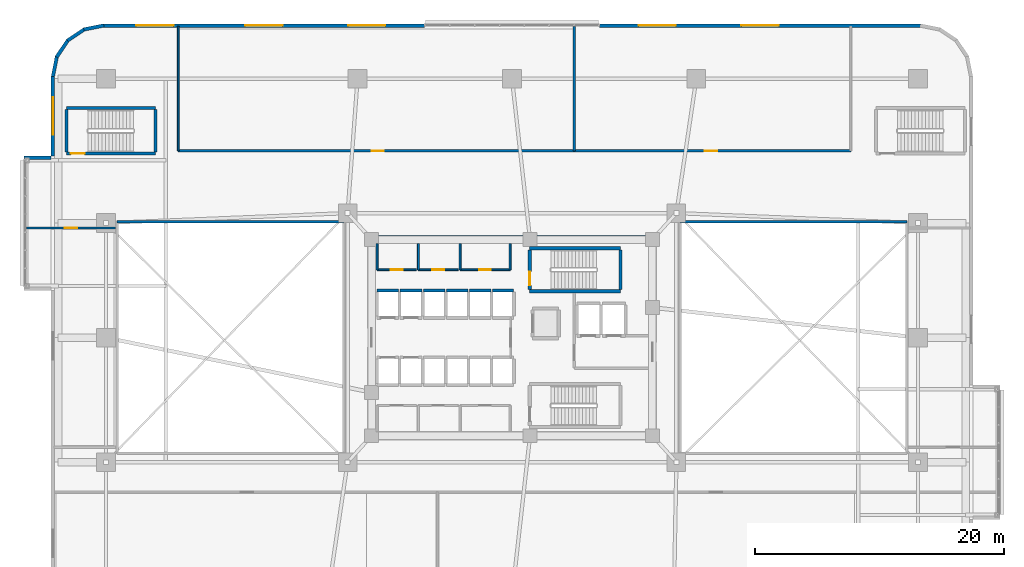
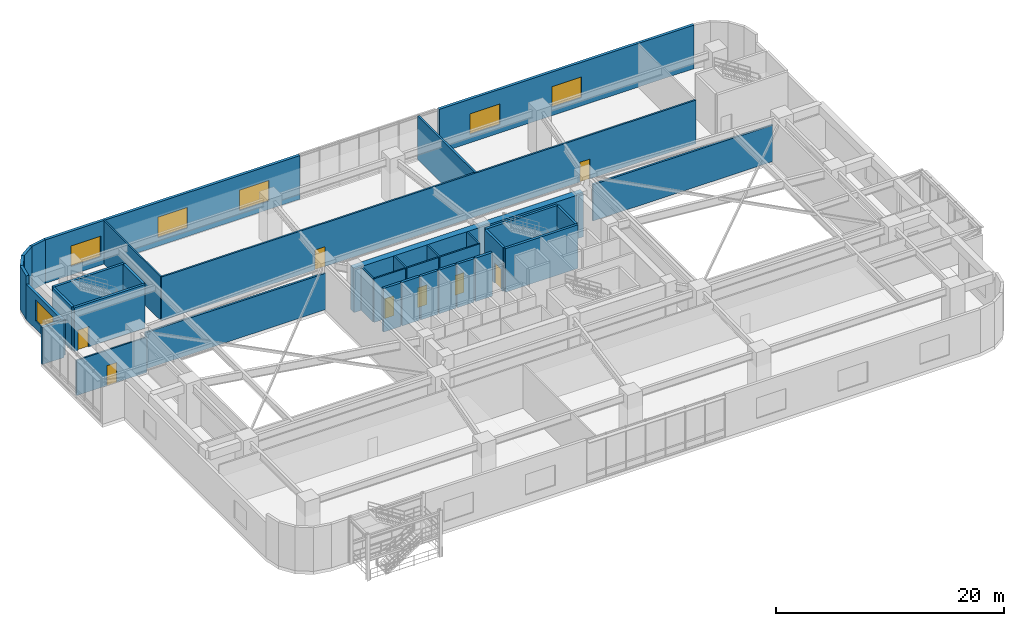
# One storey, part 17 of 24: 36 walls, 8 doors, 6 windows, 14 openings.
"""IFC4 building model written with IfcOpenShell, lengths in metres."""

from ifc_helpers import new_model, si_unit, direction, frame, frame_2d, origin, place, context, subcontext, project, spatial, rectangle, extrude, material, layer, layer_set, type_object, element, fill, save


model = new_model("IFC4")

# Units and contexts
model_context = context("Model", 3, precision=1e-05, world=origin(), true_north=direction((0.0, 1.0)))
body_context = subcontext(model_context, "Body", "Model", "MODEL_VIEW")
ifc_project = project(units=[si_unit("LENGTHUNIT", "METRE"), si_unit("AREAUNIT", "SQUARE_METRE"), si_unit("VOLUMEUNIT", "CUBIC_METRE"), si_unit("PLANEANGLEUNIT", "RADIAN"), si_unit("MASSUNIT", "GRAM", prefix="KILO")], contexts=[model_context])

# Site, building, storey
site_placement = place(None, origin())
site = spatial("IfcSite", under=ifc_project, at=site_placement, CompositionType="ELEMENT")
building_placement = place(site_placement, origin())
building = spatial("IfcBuilding", under=site, at=building_placement, Name="Zulverin Broadcast Headquarters", CompositionType="ELEMENT")
storey_placement = place(building_placement, frame((0.0, 0.0, 5.0)))
storey = spatial("IfcBuildingStorey", under=building, at=storey_placement, Name="L01", CompositionType="ELEMENT", Elevation=5.0)

# Walls
ifc_material_1 = material(Name="Acoustic drywall steel stud", Category="steel")
ifc_layer_1 = layer(ifc_material_1, 0.199951171875, Name="Acoustic drywall steel stud", Category="steel")
ifc_layer_set_1 = layer_set([ifc_layer_1], Name="Acoustic drywall steel stud")
wall_type_1 = type_object("IfcWallType", Name="WL-ACOU-200", PredefinedType="PARTITIONING", material=ifc_layer_set_1)
for number, where, z_axis, x_axis, name in (
    (1, (5.300048828125, 34.5, 0.0), (0.0, 0.0, 1.0), (1.0, 0.0, 0.0), "L01 WEST Studio Void N Wall"),
    (2, (50.5, 34.5, 0.0), (0.0, 0.0, 1.0), (1.0, 0.0, 0.0), "L01 EAST Studio Void N Wall"),
):
    element("IfcWall", number, at=place(storey_placement, frame(where, z_axis=z_axis, x_axis=x_axis)), inside=storey, type_object=wall_type_1, Name=name, PredefinedType="PARTITIONING", context=body_context, shape_type="SweptSolid", body=[
        extrude(rectangle(XDim=18.199951171875, YDim=0.199951171875, at=frame_2d((9.10009765625, 0.0))), origin(), (0.0, 0.0, 1.0), 3.89013671875),
    ])
wall_1_placement = place(storey_placement, frame((42.0, 40.199951171875, 0.0), z_axis=(0.0, 0.0, 1.0), x_axis=(0.0, 1.0, 0.0)))
element("IfcWall", 3, at=wall_1_placement, inside=storey, type_object=wall_type_1, Name="L01 Room Partition Wall RP-03", PredefinedType="PARTITIONING", context=body_context, shape_type="SweptSolid", body=[
    extrude(rectangle(XDim=9.9951171875, YDim=0.199951171875, at=frame_2d((4.99755859375, 0.0))), origin(), (0.0, 0.0, 1.0), 4.659912109375),
])
ifc_material_2 = material(Name="Concrete C60/75", Category="concrete")
ifc_layer_2 = layer(ifc_material_2, 0.64990234375, Name="Concrete C60/75", Category="concrete")
ifc_layer_set_2 = layer_set([ifc_layer_2], Name="Concrete C60/75")
wall_type_2 = type_object("IfcWallType", Name="WL-CORE-650", PredefinedType="SHEAR", material=ifc_layer_set_2)
wall_2_placement = place(storey_placement, frame((25.39990234375, 33.074951171875, 0.0), z_axis=(0.0, 0.0, 1.0), x_axis=(1.0, 0.0, 0.0)))
element("IfcWall", 4, at=wall_2_placement, inside=storey, type_object=wall_type_2, Name="L01 Core North Shear Wall", PredefinedType="SHEAR", context=body_context, shape_type="SweptSolid", body=[
    extrude(rectangle(XDim=23.2001953125, YDim=0.64990234375, at=frame_2d((11.60009765625, 0.0))), origin(), (0.0, 0.0, 1.0), 4.659912109375),
])

# Wall, openings, windows
ifc_material_3 = material(Name="Insulated pale-metal clad concrete spandrel C40/50", Category="concrete")
ifc_layer_3 = layer(ifc_material_3, 0.280029296875, Name="Insulated pale-metal clad concrete spandrel C40/50", Category="concrete")
ifc_layer_set_3 = layer_set([ifc_layer_3], Name="Insulated pale-metal clad concrete spandrel C40/50")
wall_type_3 = type_object("IfcWallType", Name="WL-EXT-280", PredefinedType="STANDARD", material=ifc_layer_set_3)
wall_3_placement = place(storey_placement, frame((69.800048828125, 50.260009765625, 0.0), z_axis=(0.0, 0.0, 1.0), x_axis=(-1.0, 0.0, 0.0)))
wall_3 = element("IfcWall", 5, at=wall_3_placement, inside=storey, type_object=wall_type_3, Name="L01 Podium Flank Wall 2-1", PredefinedType="STANDARD", context=body_context, shape_type="SweptSolid", body=[
    extrude(rectangle(XDim=25.761962890625, YDim=0.280029296875, at=frame_2d((12.880859375, 0.0))), origin(), (0.0, 0.0, 1.0), 4.659912109375),
])
opening_1_placement = place(wall_3_placement, frame((11.381103515625, 0.0, 0.89990234375)))
opening_1 = element("IfcOpeningElement", 6, at=opening_1_placement, cuts=wall_3, Name="Opening W-L01-F211", PredefinedType="OPENING", context=body_context, shape_type="SweptSolid", body=[
    extrude(rectangle(XDim=3.0, YDim=2.199951171875, at=frame_2d((1.5, 1.10009765625))), frame((0.0, 0.14990234375, 0.0), z_axis=(0.0, -1.0, 0.0), x_axis=(1.0, 0.0, 0.0)), (0.0, 0.0, 1.0), 0.300048828125),
])
opening_2_placement = place(wall_3_placement, frame((19.635009765625, 0.0, 0.89990234375)))
opening_2 = element("IfcOpeningElement", 7, at=opening_2_placement, cuts=wall_3, Name="Opening W-L01-F212", PredefinedType="OPENING", context=body_context, shape_type="SweptSolid", body=[
    extrude(rectangle(XDim=3.0, YDim=2.199951171875, at=frame_2d((1.5, 1.10009765625))), frame((0.0, 0.14990234375, 0.0), z_axis=(0.0, -1.0, 0.0), x_axis=(1.0, 0.0, 0.0)), (0.0, 0.0, 1.0), 0.300048828125),
])
ifc_material_4 = material(Name="Pale anodized aluminium frame with solar-control low-E double glazing", Category="aluminium")
window_type = type_object("IfcWindowType", Name="WIN-POD-3000", PartitioningType="SINGLE_PANEL", PredefinedType="WINDOW", material=ifc_material_4)
window_1_placement = place(opening_1_placement, origin())
window_1 = element("IfcWindow", 8, at=window_1_placement, inside=storey, type_object=window_type, Name="L01 Podium Flank Window 2-1 1", OverallHeight=2.199951171875, OverallWidth=3.0, PartitioningType="SINGLE_PANEL", PredefinedType="WINDOW", context=body_context, shape_type="SweptSolid", body=[
    extrude(rectangle(XDim=3.0, YDim=2.199951171875, at=frame_2d((1.5, 1.10009765625))), frame((0.0, 0.030029296875, 0.0), z_axis=(0.0, -1.0, 0.0), x_axis=(1.0, 0.0, 0.0)), (0.0, 0.0, 1.0), 0.06005859375),
])
fill(opening_1, window_1)
window_2_placement = place(opening_2_placement, origin())
window_2 = element("IfcWindow", 9, at=window_2_placement, inside=storey, type_object=window_type, Name="L01 Podium Flank Window 2-1 2", OverallHeight=2.199951171875, OverallWidth=3.0, PartitioningType="SINGLE_PANEL", PredefinedType="WINDOW", context=body_context, shape_type="SweptSolid", body=[
    extrude(rectangle(XDim=3.0, YDim=2.199951171875, at=frame_2d((1.5, 1.10009765625))), frame((0.0, 0.030029296875, 0.0), z_axis=(0.0, -1.0, 0.0), x_axis=(1.0, 0.0, 0.0)), (0.0, 0.0, 1.0), 0.06005859375),
])
fill(opening_2, window_2)

wall_4_placement = place(storey_placement, frame((29.9619140625, 50.260009765625, 0.0), z_axis=(0.0, 0.0, 1.0), x_axis=(-1.0, 0.0, 0.0)))
wall_4 = element("IfcWall", 10, at=wall_4_placement, inside=storey, type_object=wall_type_3, Name="L01 Podium Flank Wall 2-2", PredefinedType="STANDARD", context=body_context, shape_type="SweptSolid", body=[
    extrude(rectangle(XDim=25.761962890625, YDim=0.280029296875, at=frame_2d((12.880859375, 0.0))), origin(), (0.0, 0.0, 1.0), 4.659912109375),
])
opening_3_placement = place(wall_4_placement, frame((3.126953125, 0.0, 0.89990234375)))
opening_3 = element("IfcOpeningElement", 11, at=opening_3_placement, cuts=wall_4, Name="Opening W-L01-F221", PredefinedType="OPENING", context=body_context, shape_type="SweptSolid", body=[
    extrude(rectangle(XDim=3.0, YDim=2.199951171875, at=frame_2d((1.5, 1.10009765625))), frame((0.0, 0.14990234375, 0.0), z_axis=(0.0, -1.0, 0.0), x_axis=(1.0, 0.0, 0.0)), (0.0, 0.0, 1.0), 0.300048828125),
])
opening_4_placement = place(wall_4_placement, frame((11.381103515625, 0.0, 0.89990234375)))
opening_4 = element("IfcOpeningElement", 12, at=opening_4_placement, cuts=wall_4, Name="Opening W-L01-F222", PredefinedType="OPENING", context=body_context, shape_type="SweptSolid", body=[
    extrude(rectangle(XDim=3.0, YDim=2.199951171875, at=frame_2d((1.5, 1.10009765625))), frame((0.0, 0.14990234375, 0.0), z_axis=(0.0, -1.0, 0.0), x_axis=(1.0, 0.0, 0.0)), (0.0, 0.0, 1.0), 0.300048828125),
])
opening_5_placement = place(wall_4_placement, frame((20.135009765625, 0.0, 0.89990234375)))
opening_5 = element("IfcOpeningElement", 13, at=opening_5_placement, cuts=wall_4, Name="Opening W-L01-F223", PredefinedType="OPENING", context=body_context, shape_type="SweptSolid", body=[
    extrude(rectangle(XDim=3.0, YDim=2.199951171875, at=frame_2d((1.5, 1.10009765625))), frame((0.0, 0.14990234375, 0.0), z_axis=(0.0, -1.0, 0.0), x_axis=(1.0, 0.0, 0.0)), (0.0, 0.0, 1.0), 0.300048828125),
])
window_3_placement = place(opening_3_placement, origin())
window_3 = element("IfcWindow", 14, at=window_3_placement, inside=storey, type_object=window_type, Name="L01 Podium Flank Window 2-2 1", OverallHeight=2.199951171875, OverallWidth=3.0, PartitioningType="SINGLE_PANEL", PredefinedType="WINDOW", context=body_context, shape_type="SweptSolid", body=[
    extrude(rectangle(XDim=3.0, YDim=2.199951171875, at=frame_2d((1.5, 1.10009765625))), frame((0.0, 0.030029296875, 0.0), z_axis=(0.0, -1.0, 0.0), x_axis=(1.0, 0.0, 0.0)), (0.0, 0.0, 1.0), 0.06005859375),
])
fill(opening_3, window_3)
window_4_placement = place(opening_4_placement, origin())
window_4 = element("IfcWindow", 15, at=window_4_placement, inside=storey, type_object=window_type, Name="L01 Podium Flank Window 2-2 2", OverallHeight=2.199951171875, OverallWidth=3.0, PartitioningType="SINGLE_PANEL", PredefinedType="WINDOW", context=body_context, shape_type="SweptSolid", body=[
    extrude(rectangle(XDim=3.0, YDim=2.199951171875, at=frame_2d((1.5, 1.10009765625))), frame((0.0, 0.030029296875, 0.0), z_axis=(0.0, -1.0, 0.0), x_axis=(1.0, 0.0, 0.0)), (0.0, 0.0, 1.0), 0.06005859375),
])
fill(opening_4, window_4)
window_5_placement = place(opening_5_placement, origin())
window_5 = element("IfcWindow", 16, at=window_5_placement, inside=storey, type_object=window_type, Name="L01 Podium Flank Window 2-2 3", OverallHeight=2.199951171875, OverallWidth=3.0, PartitioningType="SINGLE_PANEL", PredefinedType="WINDOW", context=body_context, shape_type="SweptSolid", body=[
    extrude(rectangle(XDim=3.0, YDim=2.199951171875, at=frame_2d((1.5, 1.10009765625))), frame((0.0, 0.030029296875, 0.0), z_axis=(0.0, -1.0, 0.0), x_axis=(1.0, 0.0, 0.0)), (0.0, 0.0, 1.0), 0.06005859375),
])
fill(opening_5, window_5)

# Wall, opening, window
wall_5_placement = place(storey_placement, frame((0.139892578125, 46.199951171875, 0.0), z_axis=(0.0, 0.0, 1.0), x_axis=(0.0, -1.0, 0.0)))
wall_5 = element("IfcWall", 17, at=wall_5_placement, inside=storey, type_object=wall_type_3, Name="L01 Podium Spandrel Wall 3-1", PredefinedType="STANDARD", context=body_context, shape_type="SweptSolid", body=[
    extrude(rectangle(XDim=6.39990234375, YDim=0.280029296875, at=frame_2d((3.199951171875, 0.0))), origin(), (0.0, 0.0, 1.0), 3.760009765625),
])
opening_6_placement = place(wall_5_placement, frame((1.699951171875, 0.0, 0.89990234375)))
opening_6 = element("IfcOpeningElement", 18, at=opening_6_placement, cuts=wall_5, Name="Opening W-L01-E3S11", PredefinedType="OPENING", context=body_context, shape_type="SweptSolid", body=[
    extrude(rectangle(XDim=3.0, YDim=2.199951171875, at=frame_2d((1.5, 1.10009765625))), frame((0.0, 0.14990234375, 0.0), z_axis=(0.0, -1.0, 0.0), x_axis=(1.0, 0.0, 0.0)), (0.0, 0.0, 1.0), 0.300048828125),
])
window_6_placement = place(opening_6_placement, origin())
window_6 = element("IfcWindow", 19, at=window_6_placement, inside=storey, type_object=window_type, Name="L01 Podium Ribbon Window 3-1 1", OverallHeight=2.199951171875, OverallWidth=3.0, PartitioningType="SINGLE_PANEL", PredefinedType="WINDOW", context=body_context, shape_type="SweptSolid", body=[
    extrude(rectangle(XDim=3.0, YDim=2.199951171875, at=frame_2d((1.5, 1.10009765625))), frame((0.0, 0.030029296875, 0.0), z_axis=(0.0, -1.0, 0.0), x_axis=(1.0, 0.0, 0.0)), (0.0, 0.0, 1.0), 0.06005859375),
])
fill(opening_6, window_6)

# Walls
wall_6_placement = place(storey_placement, frame((4.227294921875, 50.2626953125, 0.0), z_axis=(0.0, 0.0, 1.0), x_axis=(-0.980797825116, -0.195027244885, 0.0)))
element("IfcWall", 20, at=wall_6_placement, inside=storey, type_object=wall_type_3, Name="L01 Wind-Shaped Corner Spandrel Wall 2-1", PredefinedType="STANDARD", context=body_context, shape_type="SweptSolid", body=[
    extrude(rectangle(XDim=1.638671875, YDim=0.280029296875, at=frame_2d((0.8193359375, 0.0))), origin(), (0.0, 0.0, 1.0), 4.659912109375),
])
wall_7_placement = place(storey_placement, frame((2.67041015625, 49.9638671875, 0.0), z_axis=(0.0, 0.0, 1.0), x_axis=(-0.831430845238, -0.555628247651, 0.0)))
element("IfcWall", 21, at=wall_7_placement, inside=storey, type_object=wall_type_3, Name="L01 Wind-Shaped Corner Spandrel Wall 2-2", PredefinedType="STANDARD", context=body_context, shape_type="SweptSolid", body=[
    extrude(rectangle(XDim=1.638427734375, YDim=0.280029296875, at=frame_2d((0.8193359375, 0.0))), origin(), (0.0, 0.0, 1.0), 4.659912109375),
])
for number, where, z_axis, x_axis, name in (
    (22, (1.3466796875, 49.092041015625, 0.0), (0.0, 0.0, 1.0), (-0.555662407875, -0.831408015643, 0.0), "L01 Wind-Shaped Corner Spandrel Wall 2-3"),
    (23, (0.45703125, 47.780029296875, 0.0), (0.0, 0.0, 1.0), (-0.195142046967, -0.980774990253, 0.0), "L01 Wind-Shaped Corner Spandrel Wall 2-4"),
):
    element("IfcWall", number, at=place(storey_placement, frame(where, z_axis=z_axis, x_axis=x_axis)), inside=storey, type_object=wall_type_3, Name=name, PredefinedType="STANDARD", context=body_context, shape_type="SweptSolid", body=[
        extrude(rectangle(XDim=1.638916015625, YDim=0.280029296875, at=frame_2d((0.8193359375, 0.0))), origin(), (0.0, 0.0, 1.0), 4.659912109375),
    ])
wall_8_placement = place(storey_placement, frame((-2.199951171875, 39.659912109375, 0.0), z_axis=(0.0, 0.0, 1.0), x_axis=(1.0, 0.0, 0.0)))
element("IfcWall", 24, at=wall_8_placement, inside=storey, type_object=wall_type_3, Name="L01 Shifted Studio Box Cheek Wall SBOX_POD_LOWER_W1-N", PredefinedType="STANDARD", context=body_context, shape_type="SweptSolid", body=[
    extrude(rectangle(XDim=2.199951171875, YDim=0.280029296875, at=frame_2d((1.10009765625, 0.0))), origin(), (0.0, 0.0, 1.0), 3.967041015625),
])

# Wall, opening, door
ifc_material_5 = material(Name="Fire-rated gypsum stud partition", Category="gypsum")
ifc_layer_4 = layer(ifc_material_5, 0.14990234375, Name="Fire-rated gypsum stud partition", Category="gypsum")
ifc_layer_set_4 = layer_set([ifc_layer_4], Name="Fire-rated gypsum stud partition")
wall_type_4 = type_object("IfcWallType", Name="WL-PART-150", PredefinedType="PARTITIONING", material=ifc_layer_set_4)
wall_9_placement = place(storey_placement, frame((26.169921875, 30.64990234375, 0.0), z_axis=(0.0, 0.0, 1.0), x_axis=(1.0, 0.0, 0.0)))
wall_9 = element("IfcWall", 25, at=wall_9_placement, inside=storey, type_object=wall_type_4, Name="L01 Core Male WC Front Wall", PredefinedType="PARTITIONING", context=body_context, shape_type="SweptSolid", body=[
    extrude(rectangle(XDim=3.150146484375, YDim=0.14990234375, at=frame_2d((1.5751953125, 0.0))), origin(), (0.0, 0.0, 1.0), 4.659912109375),
])
opening_7_placement = place(wall_9_placement, frame((1.10009765625, 0.0, 0.0)))
opening_7 = element("IfcOpeningElement", 26, at=opening_7_placement, cuts=wall_9, Name="Opening D-L01-NC1", PredefinedType="OPENING", context=body_context, shape_type="SweptSolid", body=[
    extrude(rectangle(XDim=0.949951171875, YDim=2.10009765625, at=frame_2d((0.47509765625, 1.050048828125))), frame((0.0, 0.0849609375, 0.0), z_axis=(0.0, -1.0, 0.0), x_axis=(1.0, 0.0, 0.0)), (0.0, 0.0, 1.0), 0.169921875),
])
ifc_material_6 = material(Name="Fire-rated moisture-resistant laminate leaf", Category="wood")
door_type_1 = type_object("IfcDoorType", Name="DR-WC-950", OperationType="SINGLE_SWING_LEFT", PredefinedType="DOOR", material=ifc_material_6)
door_1_placement = place(opening_7_placement, origin())
door_1 = element("IfcDoor", 27, at=door_1_placement, inside=storey, type_object=door_type_1, Name="L01 Male WC Door", OperationType="SINGLE_SWING_LEFT", OverallHeight=2.10009765625, OverallWidth=0.949951171875, PredefinedType="DOOR", context=body_context, shape_type="SweptSolid", body=[
    extrude(rectangle(XDim=0.949951171875, YDim=2.10009765625, at=frame_2d((0.47509765625, 1.050048828125))), frame((0.0, 0.02490234375, 0.0), z_axis=(0.0, -1.0, 0.0), x_axis=(1.0, 0.0, 0.0)), (0.0, 0.0, 1.0), 0.050048828125),
])
fill(opening_7, door_1)

# Wall
wall_10_placement = place(storey_placement, frame((26.169921875, 30.64990234375, 0.0), z_axis=(0.0, 0.0, 1.0), x_axis=(0.0, 1.0, 0.0)))
element("IfcWall", 28, at=wall_10_placement, inside=storey, type_object=wall_type_4, Name="L01 Core Male WC West Wall", PredefinedType="PARTITIONING", context=body_context, shape_type="SweptSolid", body=[
    extrude(rectangle(XDim=2.10009765625, YDim=0.14990234375, at=frame_2d((1.050048828125, 0.0))), origin(), (0.0, 0.0, 1.0), 4.659912109375),
])

# Wall, opening, door
wall_11_placement = place(storey_placement, frame((29.47998046875, 30.64990234375, 0.0), z_axis=(0.0, 0.0, 1.0), x_axis=(1.0, 0.0, 0.0)))
wall_11 = element("IfcWall", 29, at=wall_11_placement, inside=storey, type_object=wall_type_4, Name="L01 Core Accessible WC Front Wall", PredefinedType="PARTITIONING", context=body_context, shape_type="SweptSolid", body=[
    extrude(rectangle(XDim=3.18994140625, YDim=0.14990234375, at=frame_2d((1.594970703125, 0.0))), origin(), (0.0, 0.0, 1.0), 4.659912109375),
])
opening_8_placement = place(wall_11_placement, frame((1.1201171875, 0.0, 0.0)))
opening_8 = element("IfcOpeningElement", 30, at=opening_8_placement, cuts=wall_11, Name="Opening D-L01-NC2", PredefinedType="OPENING", context=body_context, shape_type="SweptSolid", body=[
    extrude(rectangle(XDim=0.949951171875, YDim=2.10009765625, at=frame_2d((0.47509765625, 1.050048828125))), frame((0.0, 0.0849609375, 0.0), z_axis=(0.0, -1.0, 0.0), x_axis=(1.0, 0.0, 0.0)), (0.0, 0.0, 1.0), 0.169921875),
])
door_2_placement = place(opening_8_placement, origin())
door_2 = element("IfcDoor", 31, at=door_2_placement, inside=storey, type_object=door_type_1, Name="L01 Accessible WC Door", OperationType="SINGLE_SWING_RIGHT", OverallHeight=2.10009765625, OverallWidth=0.949951171875, PredefinedType="DOOR", context=body_context, shape_type="SweptSolid", body=[
    extrude(rectangle(XDim=0.949951171875, YDim=2.10009765625, at=frame_2d((0.47509765625, 1.050048828125))), frame((0.0, 0.02490234375, 0.0), z_axis=(0.0, -1.0, 0.0), x_axis=(1.0, 0.0, 0.0)), (0.0, 0.0, 1.0), 0.050048828125),
])
fill(opening_8, door_2)

# Wall
wall_12_placement = place(storey_placement, frame((29.47998046875, 30.64990234375, 0.0), z_axis=(0.0, 0.0, 1.0), x_axis=(0.0, 1.0, 0.0)))
element("IfcWall", 32, at=wall_12_placement, inside=storey, type_object=wall_type_4, Name="L01 Core Accessible WC West Wall", PredefinedType="PARTITIONING", context=body_context, shape_type="SweptSolid", body=[
    extrude(rectangle(XDim=2.10009765625, YDim=0.14990234375, at=frame_2d((1.050048828125, 0.0))), origin(), (0.0, 0.0, 1.0), 4.659912109375),
])

# Wall, opening, door
wall_13_placement = place(storey_placement, frame((32.830078125, 30.64990234375, 0.0), z_axis=(0.0, 0.0, 1.0), x_axis=(1.0, 0.0, 0.0)))
wall_13 = element("IfcWall", 33, at=wall_13_placement, inside=storey, type_object=wall_type_4, Name="L01 Core Electrical Distribution Riser Front Wall", PredefinedType="PARTITIONING", context=body_context, shape_type="SweptSolid", body=[
    extrude(rectangle(XDim=4.02001953125, YDim=0.14990234375, at=frame_2d((2.010009765625, 0.0))), origin(), (0.0, 0.0, 1.0), 4.659912109375),
])
opening_9_placement = place(wall_13_placement, frame((1.56005859375, 0.0, 0.0)))
opening_9 = element("IfcOpeningElement", 34, at=opening_9_placement, cuts=wall_13, Name="Opening D-L01-NC3", PredefinedType="OPENING", context=body_context, shape_type="SweptSolid", body=[
    extrude(rectangle(XDim=0.89990234375, YDim=2.10009765625, at=frame_2d((0.449951171875, 1.050048828125))), frame((0.0, 0.0849609375, 0.0), z_axis=(0.0, -1.0, 0.0), x_axis=(1.0, 0.0, 0.0)), (0.0, 0.0, 1.0), 0.169921875),
])
ifc_material_7 = material(Name="Powder-coated steel access leaf", Category="steel")
door_type_2 = type_object("IfcDoorType", Name="DR-RISER-900", OperationType="SINGLE_SWING_LEFT", PredefinedType="DOOR", material=ifc_material_7)
door_3_placement = place(opening_9_placement, origin())
door_3 = element("IfcDoor", 35, at=door_3_placement, inside=storey, type_object=door_type_2, Name="L01 Electrical Distribution Riser Door", OperationType="SINGLE_SWING_LEFT", OverallHeight=2.10009765625, OverallWidth=0.89990234375, PredefinedType="DOOR", context=body_context, shape_type="SweptSolid", body=[
    extrude(rectangle(XDim=0.89990234375, YDim=2.10009765625, at=frame_2d((0.449951171875, 1.050048828125))), frame((0.0, 0.02490234375, 0.0), z_axis=(0.0, -1.0, 0.0), x_axis=(1.0, 0.0, 0.0)), (0.0, 0.0, 1.0), 0.050048828125),
])
fill(opening_9, door_3)

# Walls
for number, where, z_axis, x_axis, name in (
    (36, (32.830078125, 30.64990234375, 0.0), (0.0, 0.0, 1.0), (0.0, 1.0, 0.0), "L01 Core Electrical Distribution Riser West Wall"),
    (37, (36.85009765625, 30.64990234375, 0.0), (0.0, 0.0, 1.0), (0.0, 1.0, 0.0), "L01 Core Electrical Distribution Riser East Wall"),
):
    element("IfcWall", number, at=place(storey_placement, frame(where, z_axis=z_axis, x_axis=x_axis)), inside=storey, type_object=wall_type_4, Name=name, PredefinedType="PARTITIONING", context=body_context, shape_type="SweptSolid", body=[
        extrude(rectangle(XDim=2.10009765625, YDim=0.14990234375, at=frame_2d((1.050048828125, 0.0))), origin(), (0.0, 0.0, 1.0), 4.659912109375),
    ])
wall_14_placement = place(storey_placement, frame((10.199951171875, 40.199951171875, 0.0), z_axis=(0.0, 0.0, 1.0), x_axis=(0.0, 1.0, 0.0)))
element("IfcWall", 38, at=wall_14_placement, inside=storey, type_object=wall_type_4, Name="L01 Gallery Partition Wall CG-05", PredefinedType="PARTITIONING", context=body_context, shape_type="SweptSolid", body=[
    extrude(rectangle(XDim=9.9951171875, YDim=0.14990234375, at=frame_2d((4.99755859375, 0.0))), origin(), (0.0, 0.0, 1.0), 4.659912109375),
])

# Wall, opening, door
wall_15_placement = place(storey_placement, frame((-1.9951171875, 34.0, 0.0), z_axis=(0.0, 0.0, 1.0), x_axis=(1.0, 0.0, 0.0)))
wall_15 = element("IfcWall", 39, at=wall_15_placement, inside=storey, type_object=wall_type_4, Name="L01 Gallery Partition Wall CG-10", PredefinedType="PARTITIONING", context=body_context, shape_type="SweptSolid", body=[
    extrude(rectangle(XDim=7.14501953125, YDim=0.14990234375, at=frame_2d((3.572509765625, 0.0))), origin(), (0.0, 0.0, 1.0), 3.760009765625),
])
opening_10_placement = place(wall_15_placement, frame((3.072509765625, 0.0, 0.0)))
opening_10 = element("IfcOpeningElement", 40, at=opening_10_placement, cuts=wall_15, Name="Opening D-L01-GALW", PredefinedType="OPENING", context=body_context, shape_type="SweptSolid", body=[
    extrude(rectangle(XDim=1.0, YDim=2.1201171875, at=frame_2d((0.5, 1.06005859375))), frame((0.0, 0.0849609375, 0.0), z_axis=(0.0, -1.0, 0.0), x_axis=(1.0, 0.0, 0.0)), (0.0, 0.0, 1.0), 0.169921875),
])
ifc_material_8 = material(Name="Hardwood veneer acoustic leaf", Category="wood")
door_type_3 = type_object("IfcDoorType", Name="DR-OFF-1000", OperationType="SINGLE_SWING_LEFT", PredefinedType="DOOR", material=ifc_material_8)
door_4_placement = place(opening_10_placement, origin())
door_4 = element("IfcDoor", 41, at=door_4_placement, inside=storey, type_object=door_type_3, Name="L01 West Studio Control Gallery Door", OperationType="SINGLE_SWING_RIGHT", OverallHeight=2.1201171875, OverallWidth=1.0, PredefinedType="DOOR", context=body_context, shape_type="SweptSolid", body=[
    extrude(rectangle(XDim=1.0, YDim=2.1201171875, at=frame_2d((0.5, 1.06005859375))), frame((0.0, 0.02490234375, 0.0), z_axis=(0.0, -1.0, 0.0), x_axis=(1.0, 0.0, 0.0)), (0.0, 0.0, 1.0), 0.050048828125),
])
fill(opening_10, door_4)

# Wall, openings, doors
ifc_material_9 = material(Name="Fire-rated acoustic stud wall", Category="gypsum")
ifc_layer_5 = layer(ifc_material_9, 0.175048828125, Name="Fire-rated acoustic stud wall", Category="gypsum")
ifc_layer_set_5 = layer_set([ifc_layer_5], Name="Fire-rated acoustic stud wall")
wall_type_5 = type_object("IfcWallType", Name="WL-PART-175", PredefinedType="PARTITIONING", material=ifc_layer_set_5)
wall_16_placement = place(storey_placement, frame((10.199951171875, 40.199951171875, 0.0), z_axis=(0.0, 0.0, 1.0), x_axis=(1.0, 0.0, 0.0)))
wall_16 = element("IfcWall", 42, at=wall_16_placement, inside=storey, type_object=wall_type_5, Name="L01 Gallery Partition Wall CG-12", PredefinedType="PARTITIONING", context=body_context, shape_type="SweptSolid", body=[
    extrude(rectangle(XDim=54.0, YDim=0.175048828125, at=frame_2d((27.0, 0.0))), origin(), (0.0, 0.0, 1.0), 4.659912109375),
])
opening_11_placement = place(wall_16_placement, frame((15.52001953125, 0.0, 0.0)))
opening_11 = element("IfcOpeningElement", 43, at=opening_11_placement, cuts=wall_16, Name="Opening D-L01-NORTH1", PredefinedType="OPENING", context=body_context, shape_type="SweptSolid", body=[
    extrude(rectangle(XDim=1.0, YDim=2.1201171875, at=frame_2d((0.5, 1.06005859375))), frame((0.0, 0.097412109375, 0.0), z_axis=(0.0, -1.0, 0.0), x_axis=(1.0, 0.0, 0.0)), (0.0, 0.0, 1.0), 0.195068359375),
])
opening_12_placement = place(wall_16_placement, frame((42.280029296875, 0.0, 0.0)))
opening_12 = element("IfcOpeningElement", 44, at=opening_12_placement, cuts=wall_16, Name="Opening D-L01-NORTH2", PredefinedType="OPENING", context=body_context, shape_type="SweptSolid", body=[
    extrude(rectangle(XDim=1.0, YDim=2.1201171875, at=frame_2d((0.5, 1.06005859375))), frame((0.0, 0.097412109375, 0.0), z_axis=(0.0, -1.0, 0.0), x_axis=(1.0, 0.0, 0.0)), (0.0, 0.0, 1.0), 0.195068359375),
])
door_5_placement = place(opening_11_placement, origin())
door_5 = element("IfcDoor", 45, at=door_5_placement, inside=storey, type_object=door_type_3, Name="L01 Newsroom Editorial Open Workplace Door", OperationType="SINGLE_SWING_RIGHT", OverallHeight=2.1201171875, OverallWidth=1.0, PredefinedType="DOOR", context=body_context, shape_type="SweptSolid", body=[
    extrude(rectangle(XDim=1.0, YDim=2.1201171875, at=frame_2d((0.5, 1.06005859375))), frame((0.0, 0.02490234375, 0.0), z_axis=(0.0, -1.0, 0.0), x_axis=(1.0, 0.0, 0.0)), (0.0, 0.0, 1.0), 0.050048828125),
])
fill(opening_11, door_5)
door_6_placement = place(opening_12_placement, origin())
door_6 = element("IfcDoor", 46, at=door_6_placement, inside=storey, type_object=door_type_3, Name="L01 Broadcast Graphics & Media Lab Door", OperationType="SINGLE_SWING_LEFT", OverallHeight=2.1201171875, OverallWidth=1.0, PredefinedType="DOOR", context=body_context, shape_type="SweptSolid", body=[
    extrude(rectangle(XDim=1.0, YDim=2.1201171875, at=frame_2d((0.5, 1.06005859375))), frame((0.0, 0.02490234375, 0.0), z_axis=(0.0, -1.0, 0.0), x_axis=(1.0, 0.0, 0.0)), (0.0, 0.0, 1.0), 0.050048828125),
])
fill(opening_12, door_6)

# Walls
ifc_material_10 = material(Name="Concrete C50/60", Category="concrete")
ifc_layer_6 = layer(ifc_material_10, 0.25, Name="Concrete C50/60", Category="concrete")
ifc_layer_set_6 = layer_set([ifc_layer_6], Name="Concrete C50/60")
wall_type_6 = type_object("IfcWallType", Name="WL-SHAFT-250", PredefinedType="SHEAR", material=ifc_layer_set_6)
for number, where, z_axis, x_axis, name in (
    (47, (38.425048828125, 28.925048828125, 0.0), (0.0, 0.0, 1.0), (1.0, 0.0, 0.0), "L01 ST-1 Enclosure Wall S"),
    (48, (38.425048828125, 32.375, 0.0), (0.0, 0.0, 1.0), (1.0, 0.0, 0.0), "L01 ST-1 Enclosure Wall N"),
):
    element("IfcWall", number, at=place(storey_placement, frame(where, z_axis=z_axis, x_axis=x_axis)), inside=storey, type_object=wall_type_6, Name=name, PredefinedType="SHEAR", context=body_context, shape_type="SweptSolid", body=[
        extrude(rectangle(XDim=7.300048828125, YDim=0.25, at=frame_2d((3.64990234375, 0.0))), origin(), (0.0, 0.0, 1.0), 4.659912109375),
    ])

# Wall, opening, door
wall_17_placement = place(storey_placement, frame((38.425048828125, 29.050048828125, 0.0), z_axis=(0.0, 0.0, 1.0), x_axis=(0.0, 1.0, 0.0)))
wall_17 = element("IfcWall", 49, at=wall_17_placement, inside=storey, type_object=wall_type_6, Name="L01 ST-1 Enclosure Wall W", PredefinedType="SHEAR", context=body_context, shape_type="SweptSolid", body=[
    extrude(rectangle(XDim=3.199951171875, YDim=0.25, at=frame_2d((1.60009765625, 0.0))), origin(), (0.0, 0.0, 1.0), 4.659912109375),
])
opening_13_placement = place(wall_17_placement, frame((0.35009765625, 0.0, 0.0)))
opening_13 = element("IfcOpeningElement", 50, at=opening_13_placement, cuts=wall_17, Name="Opening D-L01-ST-1", PredefinedType="OPENING", context=body_context, shape_type="SweptSolid", body=[
    extrude(rectangle(XDim=1.10009765625, YDim=2.14990234375, at=frame_2d((0.550048828125, 1.074951171875))), frame((0.0, 0.135009765625, 0.0), z_axis=(0.0, -1.0, 0.0), x_axis=(1.0, 0.0, 0.0)), (0.0, 0.0, 1.0), 0.27001953125),
])
ifc_material_11 = material(Name="Fire-rated steel leaf and frame", Category="steel")
door_type_4 = type_object("IfcDoorType", Name="DR-STAIR-1100", OperationType="SINGLE_SWING_LEFT", PredefinedType="DOOR", material=ifc_material_11)
door_7_placement = place(opening_13_placement, origin())
door_7 = element("IfcDoor", 51, at=door_7_placement, inside=storey, type_object=door_type_4, Name="L01 Exit Stair ST-1 Fire Door", OperationType="SINGLE_SWING_LEFT", OverallHeight=2.14990234375, OverallWidth=1.10009765625, PredefinedType="DOOR", context=body_context, shape_type="SweptSolid", body=[
    extrude(rectangle(XDim=1.10009765625, YDim=2.14990234375, at=frame_2d((0.550048828125, 1.074951171875))), frame((0.0, 0.02490234375, 0.0), z_axis=(0.0, -1.0, 0.0), x_axis=(1.0, 0.0, 0.0)), (0.0, 0.0, 1.0), 0.050048828125),
])
fill(opening_13, door_7)

# Wall
wall_18_placement = place(storey_placement, frame((45.72509765625, 29.050048828125, 0.0), z_axis=(0.0, 0.0, 1.0), x_axis=(0.0, 1.0, 0.0)))
element("IfcWall", 52, at=wall_18_placement, inside=storey, type_object=wall_type_6, Name="L01 ST-1 Enclosure Wall E", PredefinedType="SHEAR", context=body_context, shape_type="SweptSolid", body=[
    extrude(rectangle(XDim=3.199951171875, YDim=0.25, at=frame_2d((1.60009765625, 0.0))), origin(), (0.0, 0.0, 1.0), 4.659912109375),
])

# Wall, opening, door
wall_19_placement = place(storey_placement, frame((1.22509765625, 39.97509765625, 0.0), z_axis=(0.0, 0.0, 1.0), x_axis=(1.0, 0.0, 0.0)))
wall_19 = element("IfcWall", 53, at=wall_19_placement, inside=storey, type_object=wall_type_6, Name="L01 ST-3 Enclosure Wall S", PredefinedType="SHEAR", context=body_context, shape_type="SweptSolid", body=[
    extrude(rectangle(XDim=7.14990234375, YDim=0.25, at=frame_2d((3.574951171875, 0.0))), origin(), (0.0, 0.0, 1.0), 4.659912109375),
])
opening_14_placement = place(wall_19_placement, frame((0.35009765625, 0.0, 0.0)))
opening_14 = element("IfcOpeningElement", 54, at=opening_14_placement, cuts=wall_19, Name="Opening D-L01-ST-3", PredefinedType="OPENING", context=body_context, shape_type="SweptSolid", body=[
    extrude(rectangle(XDim=1.10009765625, YDim=2.14990234375, at=frame_2d((0.550048828125, 1.074951171875))), frame((0.0, 0.135009765625, 0.0), z_axis=(0.0, -1.0, 0.0), x_axis=(1.0, 0.0, 0.0)), (0.0, 0.0, 1.0), 0.27001953125),
])
door_8_placement = place(opening_14_placement, origin())
door_8 = element("IfcDoor", 55, at=door_8_placement, inside=storey, type_object=door_type_4, Name="L01 Exit Stair ST-3 Fire Door", OperationType="SINGLE_SWING_LEFT", OverallHeight=2.14990234375, OverallWidth=1.10009765625, PredefinedType="DOOR", context=body_context, shape_type="SweptSolid", body=[
    extrude(rectangle(XDim=1.10009765625, YDim=2.14990234375, at=frame_2d((0.550048828125, 1.074951171875))), frame((0.0, 0.02490234375, 0.0), z_axis=(0.0, -1.0, 0.0), x_axis=(1.0, 0.0, 0.0)), (0.0, 0.0, 1.0), 0.050048828125),
])
fill(opening_14, door_8)

# Walls
wall_20_placement = place(storey_placement, frame((1.22509765625, 43.625, 0.0), z_axis=(0.0, 0.0, 1.0), x_axis=(1.0, 0.0, 0.0)))
element("IfcWall", 56, at=wall_20_placement, inside=storey, type_object=wall_type_6, Name="L01 ST-3 Enclosure Wall N", PredefinedType="SHEAR", context=body_context, shape_type="SweptSolid", body=[
    extrude(rectangle(XDim=7.14990234375, YDim=0.25, at=frame_2d((3.574951171875, 0.0))), origin(), (0.0, 0.0, 1.0), 4.659912109375),
])
for number, where, z_axis, x_axis, name in (
    (57, (1.22509765625, 40.10009765625, 0.0), (0.0, 0.0, 1.0), (0.0, 1.0, 0.0), "L01 ST-3 Enclosure Wall W"),
    (58, (8.375, 40.10009765625, 0.0), (0.0, 0.0, 1.0), (0.0, 1.0, 0.0), "L01 ST-3 Enclosure Wall E"),
):
    element("IfcWall", number, at=place(storey_placement, frame(where, z_axis=z_axis, x_axis=x_axis)), inside=storey, type_object=wall_type_6, Name=name, PredefinedType="SHEAR", context=body_context, shape_type="SweptSolid", body=[
        extrude(rectangle(XDim=3.39990234375, YDim=0.25, at=frame_2d((1.699951171875, 0.0))), origin(), (0.0, 0.0, 1.0), 4.659912109375),
    ])
for number, where, z_axis, x_axis, name in (
    (59, (26.14990234375, 29.0, 0.0), (0.0, 0.0, 1.0), (1.0, 0.0, 0.0), "L01 Lift PL-L1 Shaft Wall N"),
    (60, (28.02001953125, 29.0, 0.0), (0.0, 0.0, 1.0), (1.0, 0.0, 0.0), "L01 Lift PL-L2 Shaft Wall N"),
):
    element("IfcWall", number, at=place(storey_placement, frame(where, z_axis=z_axis, x_axis=x_axis)), inside=storey, type_object=wall_type_6, Name=name, PredefinedType="SHEAR", context=body_context, shape_type="SweptSolid", body=[
        extrude(rectangle(XDim=1.75, YDim=0.25, at=frame_2d((0.875, 0.0))), origin(), (0.0, 0.0, 1.0), 4.659912109375),
    ])
wall_21_placement = place(storey_placement, frame((29.89990234375, 29.0, 0.0), z_axis=(0.0, 0.0, 1.0), x_axis=(1.0, 0.0, 0.0)))
element("IfcWall", 61, at=wall_21_placement, inside=storey, type_object=wall_type_6, Name="L01 Lift PL-H1 Shaft Wall N", PredefinedType="SHEAR", context=body_context, shape_type="SweptSolid", body=[
    extrude(rectangle(XDim=1.72021484375, YDim=0.25, at=frame_2d((0.860107421875, 0.0))), origin(), (0.0, 0.0, 1.0), 4.659912109375),
])
for number, where, z_axis, x_axis, name in (
    (62, (31.739990234375, 29.0, 0.0), (0.0, 0.0, 1.0), (1.0, 0.0, 0.0), "L01 Lift PL-H2 Shaft Wall N"),
    (63, (33.580078125, 29.0, 0.0), (0.0, 0.0, 1.0), (1.0, 0.0, 0.0), "L01 Lift PL-H3 Shaft Wall N"),
    (64, (35.419921875, 29.0, 0.0), (0.0, 0.0, 1.0), (1.0, 0.0, 0.0), "L01 Lift PL-H4 Shaft Wall N"),
):
    element("IfcWall", number, at=place(storey_placement, frame(where, z_axis=z_axis, x_axis=x_axis)), inside=storey, type_object=wall_type_6, Name=name, PredefinedType="SHEAR", context=body_context, shape_type="SweptSolid", body=[
        extrude(rectangle(XDim=1.719970703125, YDim=0.25, at=frame_2d((0.85986328125, 0.0))), origin(), (0.0, 0.0, 1.0), 4.659912109375),
    ])

save(model, "model.ifc")
